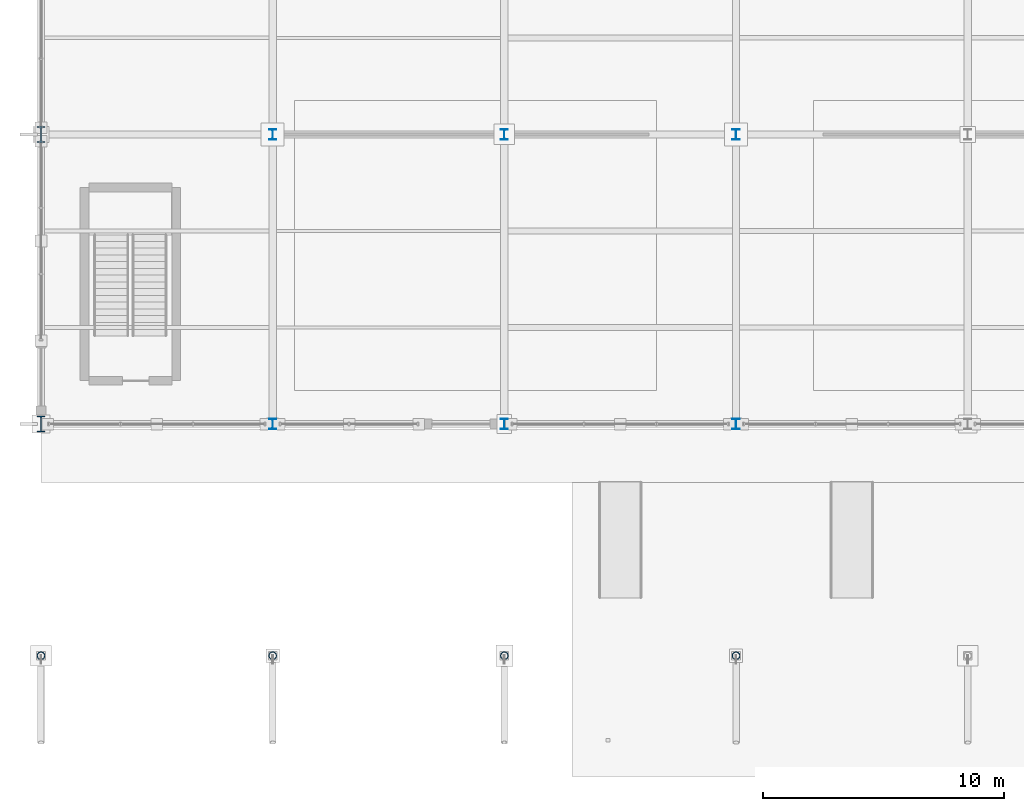
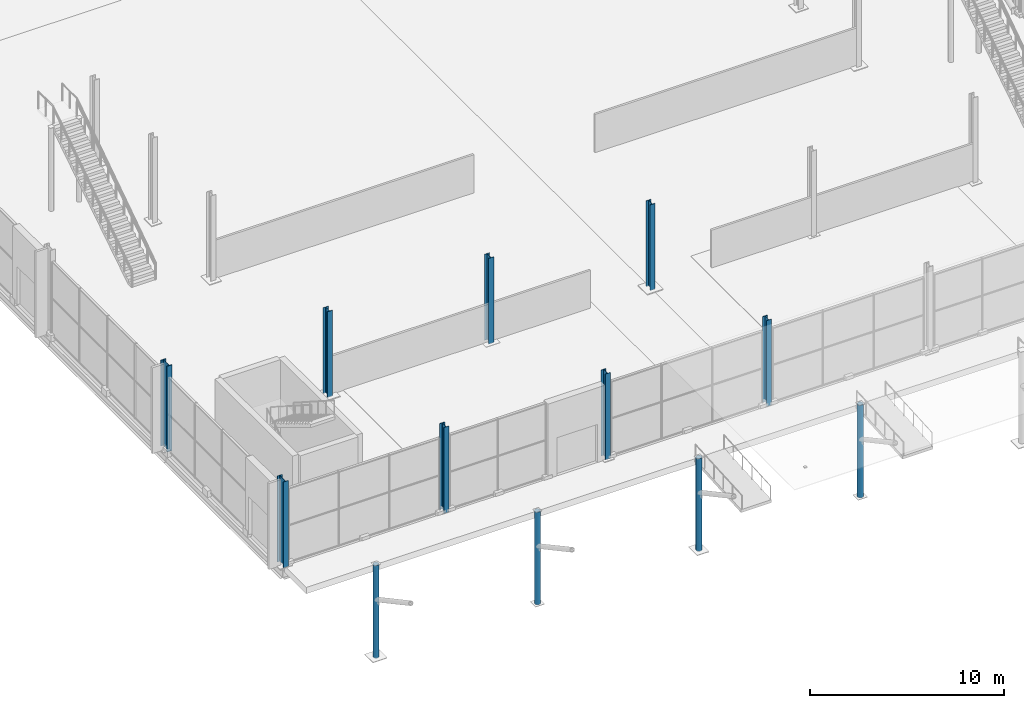
# One storey, part 1 of 196: 12 columns.
"""IFC4 building model written with IfcOpenShell, lengths in metres."""

from ifc_helpers import new_model, si_unit, direction, frame, origin, origin_2d, place, context, subcontext, project, spatial, hollow_circle, i_section, extrude, material, material_profile, profile_set, type_object, element, save


model = new_model("IFC4")

# Units and contexts
model_context = context("Model", 3, precision=1e-05, world=origin(), true_north=direction((0.0, 1.0)))
body_context = subcontext(model_context, "Body", "Model", "MODEL_VIEW")
ifc_project = project(units=[si_unit("LENGTHUNIT", "METRE"), si_unit("AREAUNIT", "SQUARE_METRE"), si_unit("VOLUMEUNIT", "CUBIC_METRE"), si_unit("PLANEANGLEUNIT", "RADIAN"), si_unit("MASSUNIT", "GRAM", prefix="KILO")], contexts=[model_context])

# Site, building, storey
site_placement = place(None, origin())
site = spatial("IfcSite", under=ifc_project, at=site_placement, CompositionType="ELEMENT")
building_placement = place(site_placement, origin())
building = spatial("IfcBuilding", under=site, at=building_placement, Name="Merenkruunu Market Hall", CompositionType="ELEMENT")
storey_placement = place(building_placement, origin())
storey = spatial("IfcBuildingStorey", under=building, at=storey_placement, Name="L00", CompositionType="ELEMENT", Elevation=0.0)

# Columns
ifc_material_1 = material(Name="Steel S355ML", Category="steel")
ifc_material_profile_1 = material_profile(ifc_material_1, i_section(OverallWidth=0.300048828125, OverallDepth=0.64990234375, WebThickness=0.01611328125, FlangeThickness=0.031005859375, FilletRadius=0.027099609375, at=origin_2d()), Name="HEB 650")
ifc_profile_set_1 = profile_set([ifc_material_profile_1], Name="Steel S355ML")
column_type_1 = type_object("IfcColumnType", Name="Structural Column C01", PredefinedType="COLUMN", material=ifc_profile_set_1)
for number, where, z_axis, x_axis, name in (
    (1, (0.0, 15.60009765625, 0.0), (0.0, 0.0, 1.0), (1.0, 0.0, 0.0), "COL-L00-A-03"),
    (2, (0.0, 27.60009765625, 0.0), (0.0, 0.0, 1.0), (1.0, 0.0, 0.0), "COL-L00-A-04"),
):
    element("IfcColumn", number, at=place(storey_placement, frame(where, z_axis=z_axis, x_axis=x_axis)), inside=storey, type_object=column_type_1, Name=name, PredefinedType="COLUMN", context=body_context, shape_type="SweptSolid", body=[
        extrude(i_section(OverallWidth=0.300048828125, OverallDepth=0.64990234375, WebThickness=0.01611328125, FlangeThickness=0.031005859375, FilletRadius=0.027099609375, at=origin_2d()), origin(), (0.0, 0.0, 1.0), 5.39990234375),
    ])
ifc_material_2 = material(Name="Steel S355J2", Category="steel")
ifc_material_profile_2 = material_profile(ifc_material_2, i_section(OverallWidth=0.300048828125, OverallDepth=0.43994140625, WebThickness=0.011474609375, FlangeThickness=0.02099609375, FilletRadius=0.027099609375, at=origin_2d()), Name="HEA 450")
ifc_profile_set_2 = profile_set([ifc_material_profile_2], Name="Steel S355J2")
column_type_2 = type_object("IfcColumnType", Name="Structural Column C07", PredefinedType="COLUMN", material=ifc_profile_set_2)
for number, where, z_axis, x_axis, name in (
    (3, (9.60009765625, 15.60009765625, 0.0), (0.0, 0.0, 1.0), (1.0, 0.0, 0.0), "COL-L00-B-03"),
    (4, (9.60009765625, 27.60009765625, 0.0), (0.0, 0.0, 1.0), (1.0, 0.0, 0.0), "COL-L00-B-04"),
    (5, (19.199951171875, 15.60009765625, 0.0), (0.0, 0.0, 1.0), (1.0, 0.0, 0.0), "COL-L00-C-03"),
    (6, (19.199951171875, 27.60009765625, 0.0), (0.0, 0.0, 1.0), (1.0, 0.0, 0.0), "COL-L00-C-04"),
    (7, (28.800048828125, 15.60009765625, 0.0), (0.0, 0.0, 1.0), (1.0, 0.0, 0.0), "COL-L00-D-03"),
    (8, (28.800048828125, 27.60009765625, 0.0), (0.0, 0.0, 1.0), (1.0, 0.0, 0.0), "COL-L00-D-04"),
):
    element("IfcColumn", number, at=place(storey_placement, frame(where, z_axis=z_axis, x_axis=x_axis)), inside=storey, type_object=column_type_2, Name=name, PredefinedType="COLUMN", context=body_context, shape_type="SweptSolid", body=[
        extrude(i_section(OverallWidth=0.300048828125, OverallDepth=0.43994140625, WebThickness=0.011474609375, FlangeThickness=0.02099609375, FilletRadius=0.027099609375, at=origin_2d()), origin(), (0.0, 0.0, 1.0), 5.39990234375),
    ])
ifc_material_profile_3 = material_profile(ifc_material_1, hollow_circle(Radius=0.161865234375, WallThickness=0.01611328125, at=origin_2d()), Name="CHS 323.9x16")
ifc_profile_set_3 = profile_set([ifc_material_profile_3], Name="Steel S355ML")
column_type_3 = type_object("IfcColumnType", Name="Structural Column C13", PredefinedType="COLUMN", material=ifc_profile_set_3)
for number, where, z_axis, x_axis, name in (
    (9, (0.0, 6.0, 0.0), (0.0, 0.0, 1.0), (1.0, 0.0, 0.0), "COL-L00-A-02"),
    (10, (9.60009765625, 6.0, 0.0), (0.0, 0.0, 1.0), (1.0, 0.0, 0.0), "COL-L00-B-02"),
    (11, (19.199951171875, 6.0, 0.0), (0.0, 0.0, 1.0), (1.0, 0.0, 0.0), "COL-L00-C-02"),
    (12, (28.800048828125, 6.0, 0.0), (0.0, 0.0, 1.0), (1.0, 0.0, 0.0), "COL-L00-D-02"),
):
    element("IfcColumn", number, at=place(storey_placement, frame(where, z_axis=z_axis, x_axis=x_axis)), inside=storey, type_object=column_type_3, Name=name, PredefinedType="COLUMN", context=body_context, shape_type="SweptSolid", body=[
        extrude(hollow_circle(Radius=0.161865234375, WallThickness=0.01611328125, at=origin_2d()), origin(), (0.0, 0.0, 1.0), 5.840087890625),
    ])

save(model, "model.ifc")
